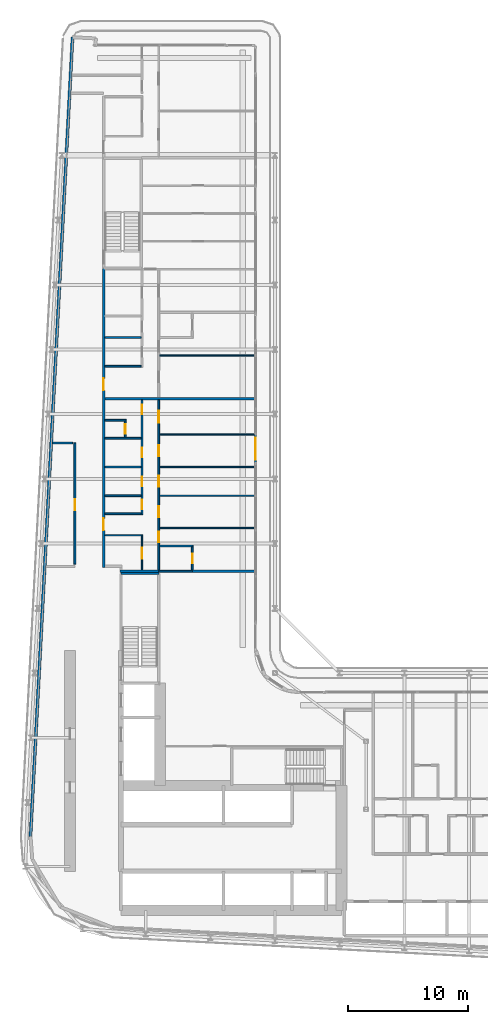
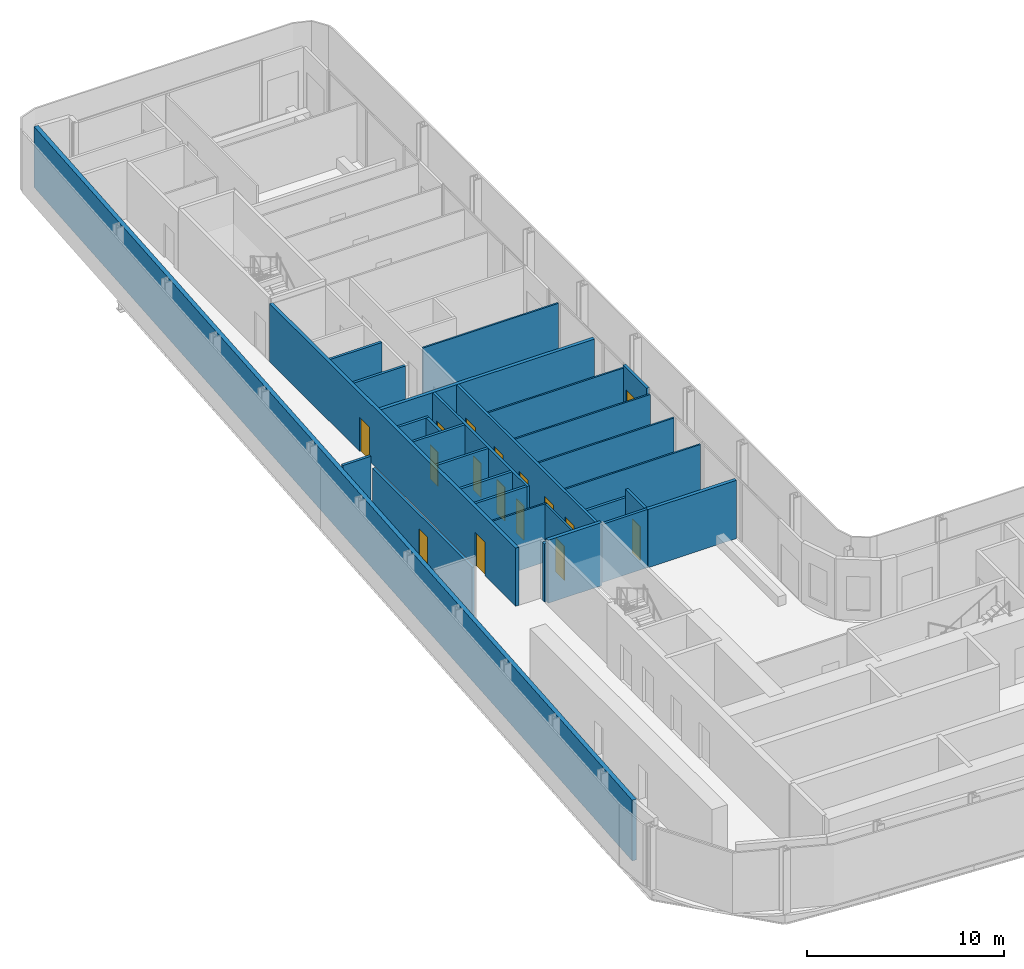
# One storey, part 18 of 29: 29 walls, 16 doors, 16 openings.
"""IFC4 building model written with IfcOpenShell, lengths in metres."""

from ifc_helpers import new_model, si_unit, direction, frame, frame_2d, origin, place, context, subcontext, project, spatial, rectangle, extrude, source, transform, mapped, material, layer, layer_set, type_object, element, fill, save


model = new_model("IFC4")

# Units and contexts
model_context = context("Model", 3, precision=1e-05, world=origin(), true_north=direction((0.0, 1.0)))
body_context = subcontext(model_context, "Body", "Model", "MODEL_VIEW")
ifc_project = project(units=[si_unit("LENGTHUNIT", "METRE"), si_unit("AREAUNIT", "SQUARE_METRE"), si_unit("VOLUMEUNIT", "CUBIC_METRE"), si_unit("PLANEANGLEUNIT", "RADIAN"), si_unit("MASSUNIT", "GRAM", prefix="KILO")], contexts=[model_context])

# Site, building, storey
site_placement = place(None, origin())
site = spatial("IfcSite", under=ifc_project, at=site_placement, CompositionType="ELEMENT")
building_placement = place(site_placement, origin())
building = spatial("IfcBuilding", under=site, at=building_placement, Name="Kheshtan School and Residences Tower", CompositionType="ELEMENT")
storey_placement = place(building_placement, frame((0.0, 0.0, 117.5)))
storey = spatial("IfcBuildingStorey", under=building, at=storey_placement, Name="L27", CompositionType="ELEMENT", Elevation=117.5)

# Wall, openings, doors
ifc_material_1 = material(Name="Gypsum board on steel studs with fire boards", Category="steel")
ifc_layer_1 = layer(ifc_material_1, 0.199951171875)
ifc_layer_set_1 = layer_set([ifc_layer_1], Name="Corridor wall 200")
wall_type_1 = type_object("IfcWallType", Name="Corridor wall 200", PredefinedType="PARTITIONING", material=ifc_layer_set_1)
wall_1_placement = place(storey_placement, frame((33.300048828125, 54.39990234375, 0.0), z_axis=(0.0, 0.0, 1.0), x_axis=(0.0, 1.0, 0.0)))
wall_1 = element("IfcWall", 1, at=wall_1_placement, inside=storey, type_object=wall_type_1, Name="Partition L27-003", PredefinedType="PARTITIONING", context=body_context, shape_type="SweptSolid", body=[
    extrude(rectangle(XDim=24.9501953125, YDim=0.199951171875, at=frame_2d((12.47509765625, 0.0))), origin(), (0.0, 0.0, 1.0), 3.60009765625),
])
opening_1_placement = place(wall_1_placement, frame((3.10009765625, 0.0, 0.0)))
opening_1 = element("IfcOpeningElement", 2, at=opening_1_placement, cuts=wall_1, Name="Opening D27-040", PredefinedType="OPENING", context=body_context, shape_type="SweptSolid", body=[
    extrude(rectangle(XDim=1.0, YDim=2.10009765625, at=frame_2d((0.5, 1.050048828125))), frame((0.0, 0.10986328125, 0.0), z_axis=(0.0, -1.0, 0.0), x_axis=(1.0, 0.0, 0.0)), (0.0, 0.0, 1.0), 0.219970703125),
])
opening_2_placement = place(wall_1_placement, frame((14.800048828125, 0.0, 0.0)))
opening_2 = element("IfcOpeningElement", 3, at=opening_2_placement, cuts=wall_1, Name="Opening D27-051", PredefinedType="OPENING", context=body_context, shape_type="SweptSolid", body=[
    extrude(rectangle(XDim=1.0, YDim=2.10009765625, at=frame_2d((0.5, 1.050048828125))), frame((0.0, 0.10986328125, 0.0), z_axis=(0.0, -1.0, 0.0), x_axis=(1.0, 0.0, 0.0)), (0.0, 0.0, 1.0), 0.219970703125),
])
ifc_material_2 = material(Name="Steel-framed fire-resisting door leaf", Category="steel")
door_type_1 = type_object("IfcDoorType", Name="Fire door FD30S 1000 x 2100", OperationType="SINGLE_SWING_LEFT", PredefinedType="DOOR", material=ifc_material_2)
shared_shape_1 = source(origin(), body_context, "Body", "SweptSolid", [
    extrude(rectangle(XDim=1.0, YDim=2.10009765625, at=frame_2d((0.5, 1.050048828125))), frame((0.0, 0.02490234375, 0.0), z_axis=(0.0, -1.0, 0.0), x_axis=(1.0, 0.0, 0.0)), (0.0, 0.0, 1.0), 0.050048828125),
])
door_1_placement = place(opening_1_placement, origin())
door_1 = element("IfcDoor", 4, at=door_1_placement, inside=storey, type_object=door_type_1, Name="Door D27-040", OperationType="SINGLE_SWING_RIGHT", OverallHeight=2.10009765625, OverallWidth=1.0, PredefinedType="DOOR", context=body_context, shape_type="MappedRepresentation", body=[
    mapped(shared_shape_1, transform((0.0, 0.0, 0.0), x_axis=(1.0, 0.0, 0.0), y_axis=(0.0, 1.0, 0.0), z_axis=(0.0, 0.0, 1.0), scale=1.0)),
])
fill(opening_1, door_1)
door_2_placement = place(opening_2_placement, origin())
door_2 = element("IfcDoor", 5, at=door_2_placement, inside=storey, type_object=door_type_1, Name="Door D27-051", OperationType="SINGLE_SWING_RIGHT", OverallHeight=2.10009765625, OverallWidth=1.0, PredefinedType="DOOR", context=body_context, shape_type="MappedRepresentation", body=[
    mapped(shared_shape_1, transform((0.0, 0.0, 0.0), x_axis=(1.0, 0.0, 0.0), y_axis=(0.0, 1.0, 0.0), z_axis=(0.0, 0.0, 1.0), scale=1.0)),
])
fill(opening_2, door_2)

# Wall
ifc_material_3 = material(Name="Concrete C40/50 with ceramic cladding and mineral wool insulation", Category="concrete")
ifc_layer_2 = layer(ifc_material_3, 0.25)
ifc_layer_set_2 = layer_set([ifc_layer_2], Name="External wall 250 ceramic clad")
wall_type_2 = type_object("IfcWallType", Name="External wall 250 ceramic clad", PredefinedType="SOLIDWALL", material=ifc_layer_set_2)
wall_2_placement = place(storey_placement, frame((27.195068359375, 31.968994140625, 0.0), z_axis=(0.0, 0.0, 1.0), x_axis=(0.052554995867, 0.998618031286, 0.0)))
element("IfcWall", 6, at=wall_2_placement, inside=storey, type_object=wall_type_2, Name="External wall L27 4", PredefinedType="SOLIDWALL", context=body_context, shape_type="SweptSolid", body=[
    extrude(rectangle(XDim=66.787353515625, YDim=0.25, at=frame_2d((33.3935546875, 0.0))), origin(), (0.0, 0.0, 1.0), 3.75),
])

# Wall, opening, door
ifc_material_4 = material(Name="Aluminium frame wall with insulated infill", Category="aluminium")
ifc_layer_3 = layer(ifc_material_4, 0.14990234375)
ifc_layer_set_3 = layer_set([ifc_layer_3], Name="Glazing frame wall 150")
wall_type_3 = type_object("IfcWallType", Name="Glazing frame wall 150", PredefinedType="SOLIDWALL", material=ifc_layer_set_3)
wall_3_placement = place(storey_placement, frame((45.97509765625, 65.51806640625, 0.0), z_axis=(0.0, 0.0, 1.0), x_axis=(0.0, -1.0, 0.0)))
wall_3 = element("IfcWall", 7, at=wall_3_placement, inside=storey, type_object=wall_type_3, Name="Balcony door wall L27 8.4", PredefinedType="SOLIDWALL", context=body_context, shape_type="SweptSolid", body=[
    extrude(rectangle(XDim=2.400146484375, YDim=0.14990234375, at=frame_2d((1.2001953125, 0.0))), origin(), (0.0, 0.0, 1.0), 3.75),
])
opening_3_placement = place(wall_3_placement, frame((0.300048828125, 0.0, 0.0)))
opening_3 = element("IfcOpeningElement", 8, at=opening_3_placement, cuts=wall_3, Name="Opening BD", PredefinedType="OPENING", context=body_context, shape_type="SweptSolid", body=[
    extrude(rectangle(XDim=1.800048828125, YDim=2.39990234375, at=frame_2d((0.89990234375, 1.199951171875))), frame((0.0, 0.0849609375, 0.0), z_axis=(0.0, -1.0, 0.0), x_axis=(1.0, 0.0, 0.0)), (0.0, 0.0, 1.0), 0.169921875),
])
ifc_material_5 = material(Name="Clear low-e glass in thermally broken aluminium frame", Category="aluminium")
door_type_2 = type_object("IfcDoorType", Name="Balcony sliding door", OperationType="SLIDING_TO_LEFT", PredefinedType="DOOR", material=ifc_material_5)
shared_shape_2 = source(origin(), body_context, "Body", "SweptSolid", [
    extrude(rectangle(XDim=1.800048828125, YDim=2.39990234375, at=frame_2d((0.89990234375, 1.199951171875))), frame((0.0, 0.02490234375, 0.0), z_axis=(0.0, -1.0, 0.0), x_axis=(1.0, 0.0, 0.0)), (0.0, 0.0, 1.0), 0.050048828125),
])
door_3_placement = place(opening_3_placement, origin())
door_3 = element("IfcDoor", 9, at=door_3_placement, inside=storey, type_object=door_type_2, Name="Balcony door L27 8.4", OperationType="SLIDING_TO_LEFT", OverallHeight=2.39990234375, OverallWidth=1.800048828125, PredefinedType="DOOR", context=body_context, shape_type="MappedRepresentation", body=[
    mapped(shared_shape_2, transform((0.0, 0.0, 0.0), x_axis=(1.0, 0.0, 0.0), y_axis=(0.0, 1.0, 0.0), z_axis=(0.0, 0.0, 1.0), scale=1.0)),
])
fill(opening_3, door_3)

# Wall
ifc_material_6 = material(Name="Gypsum board on steel studs", Category="steel")
ifc_layer_4 = layer(ifc_material_6, 0.10009765625)
ifc_layer_set_4 = layer_set([ifc_layer_4], Name="Gypsum partition 100")
wall_type_4 = type_object("IfcWallType", Name="Gypsum partition 100", PredefinedType="PARTITIONING", material=ifc_layer_set_4)
wall_4_placement = place(storey_placement, frame((33.39990234375, 57.10009765625, 0.0), z_axis=(0.0, 0.0, 1.0), x_axis=(1.0, 0.0, 0.0)))
element("IfcWall", 10, at=wall_4_placement, inside=storey, type_object=wall_type_4, Name="Partition L27-006", PredefinedType="PARTITIONING", context=body_context, shape_type="SweptSolid", body=[
    extrude(rectangle(XDim=3.150146484375, YDim=0.10009765625, at=frame_2d((1.5751953125, 0.0))), origin(), (0.0, 0.0, 1.0), 3.60009765625),
])

# Wall, opening, door
wall_5_placement = place(storey_placement, frame((36.5, 54.199951171875, 0.0), z_axis=(0.0, 0.0, 1.0), x_axis=(0.0, 1.0, 0.0)))
wall_5 = element("IfcWall", 11, at=wall_5_placement, inside=storey, type_object=wall_type_4, Name="Partition L27-022", PredefinedType="PARTITIONING", context=body_context, shape_type="SweptSolid", body=[
    extrude(rectangle(XDim=2.85009765625, YDim=0.10009765625, at=frame_2d((1.425048828125, 0.0))), origin(), (0.0, 0.0, 1.0), 3.60009765625),
])
opening_4_placement = place(wall_5_placement, frame((0.949951171875, 0.0, 0.0)))
opening_4 = element("IfcOpeningElement", 12, at=opening_4_placement, cuts=wall_5, Name="Opening D27-041", PredefinedType="OPENING", context=body_context, shape_type="SweptSolid", body=[
    extrude(rectangle(XDim=0.89990234375, YDim=2.10009765625, at=frame_2d((0.449951171875, 1.050048828125))), frame((0.0, 0.06005859375, 0.0), z_axis=(0.0, -1.0, 0.0), x_axis=(1.0, 0.0, 0.0)), (0.0, 0.0, 1.0), 0.1201171875),
])
ifc_material_7 = material(Name="Veneered timber door leaf", Category="wood")
door_type_3 = type_object("IfcDoorType", Name="Door 900 x 2100", OperationType="SINGLE_SWING_LEFT", PredefinedType="DOOR", material=ifc_material_7)
shared_shape_3 = source(origin(), body_context, "Body", "SweptSolid", [
    extrude(rectangle(XDim=0.89990234375, YDim=2.10009765625, at=frame_2d((0.449951171875, 1.050048828125))), frame((0.0, 0.02490234375, 0.0), z_axis=(0.0, -1.0, 0.0), x_axis=(1.0, 0.0, 0.0)), (0.0, 0.0, 1.0), 0.050048828125),
])
door_4_placement = place(opening_4_placement, origin())
door_4 = element("IfcDoor", 13, at=door_4_placement, inside=storey, type_object=door_type_3, Name="Door D27-041", OperationType="SINGLE_SWING_RIGHT", OverallHeight=2.10009765625, OverallWidth=0.89990234375, PredefinedType="DOOR", context=body_context, shape_type="MappedRepresentation", body=[
    mapped(shared_shape_3, transform((0.0, 0.0, 0.0), x_axis=(1.0, 0.0, 0.0), y_axis=(0.0, 1.0, 0.0), z_axis=(0.0, 0.0, 1.0), scale=1.0)),
])
fill(opening_4, door_4)

# Walls
for number, where, z_axis, x_axis, name in (
    (14, (37.97509765625, 57.699951171875, 0.0), (0.0, 0.0, 1.0), (1.0, 0.0, 0.0), "Partition L27-037"),
    (15, (37.97509765625, 60.39990234375, 0.0), (0.0, 0.0, 1.0), (1.0, 0.0, 0.0), "Partition L27-038"),
    (16, (37.97509765625, 62.800048828125, 0.0), (0.0, 0.0, 1.0), (1.0, 0.0, 0.0), "Partition L27-039"),
    (17, (37.97509765625, 65.5, 0.0), (0.0, 0.0, 1.0), (1.0, 0.0, 0.0), "Partition L27-040"),
    (18, (37.97509765625, 72.10009765625, 0.0), (0.0, 0.0, 1.0), (1.0, 0.0, 0.0), "Partition L27-041"),
):
    element("IfcWall", number, at=place(storey_placement, frame(where, z_axis=z_axis, x_axis=x_axis)), inside=storey, type_object=wall_type_4, Name=name, PredefinedType="PARTITIONING", context=body_context, shape_type="SweptSolid", body=[
        extrude(rectangle(XDim=7.9248046875, YDim=0.10009765625, at=frame_2d((3.96240234375, 0.0))), origin(), (0.0, 0.0, 1.0), 3.60009765625),
    ])

# Wall, opening, door
ifc_material_8 = material(Name="Fire-board shaft wall system")
ifc_layer_5 = layer(ifc_material_8, 0.14990234375)
ifc_layer_set_5 = layer_set([ifc_layer_5], Name="Service room wall 150")
wall_type_5 = type_object("IfcWallType", Name="Service room wall 150", PredefinedType="PARTITIONING", material=ifc_layer_set_5)
wall_6_placement = place(storey_placement, frame((30.89990234375, 54.695068359375, 0.0), z_axis=(0.0, 0.0, 1.0), x_axis=(0.0, 1.0, 0.0)))
wall_6 = element("IfcWall", 19, at=wall_6_placement, inside=storey, type_object=wall_type_5, Name="Service room wall", PredefinedType="PARTITIONING", context=body_context, shape_type="SweptSolid", body=[
    extrude(rectangle(XDim=10.10498046875, YDim=0.14990234375, at=frame_2d((5.052490234375, 0.0))), origin(), (0.0, 0.0, 1.0), 3.072021484375),
])
opening_5_placement = place(wall_6_placement, frame((4.5048828125, 0.0, 0.0)))
opening_5 = element("IfcOpeningElement", 20, at=opening_5_placement, cuts=wall_6, Name="Opening SR90", PredefinedType="OPENING", context=body_context, shape_type="SweptSolid", body=[
    extrude(rectangle(XDim=0.89990234375, YDim=2.199951171875, at=frame_2d((0.449951171875, 1.10009765625))), frame((0.0, 0.0849609375, 0.0), z_axis=(0.0, -1.0, 0.0), x_axis=(1.0, 0.0, 0.0)), (0.0, 0.0, 1.0), 0.169921875),
])
ifc_material_9 = material(Name="Steel door leaf, galvanised", Category="steel")
door_type_4 = type_object("IfcDoorType", Name="Service room door 900 steel 90 min", OperationType="SINGLE_SWING_LEFT", PredefinedType="DOOR", material=ifc_material_9)
shared_shape_4 = source(origin(), body_context, "Body", "SweptSolid", [
    extrude(rectangle(XDim=0.89990234375, YDim=2.199951171875, at=frame_2d((0.449951171875, 1.10009765625))), frame((0.0, 0.02490234375, 0.0), z_axis=(0.0, -1.0, 0.0), x_axis=(1.0, 0.0, 0.0)), (0.0, 0.0, 1.0), 0.050048828125),
])
door_5_placement = place(opening_5_placement, origin())
door_5 = element("IfcDoor", 21, at=door_5_placement, inside=storey, type_object=door_type_4, Name="Service room door", OperationType="SINGLE_SWING_LEFT", OverallHeight=2.199951171875, OverallWidth=0.89990234375, PredefinedType="DOOR", context=body_context, shape_type="MappedRepresentation", body=[
    mapped(shared_shape_4, transform((0.0, 0.0, 0.0), x_axis=(1.0, 0.0, 0.0), y_axis=(0.0, 1.0, 0.0), z_axis=(0.0, 0.0, 1.0), scale=1.0)),
])
fill(opening_5, door_5)

# Walls
wall_7_placement = place(storey_placement, frame((29.050048828125, 64.800048828125, 0.0), z_axis=(0.0, 0.0, 1.0), x_axis=(1.0, 0.0, 0.0)))
element("IfcWall", 22, at=wall_7_placement, inside=storey, type_object=wall_type_5, Name="Service room wall", PredefinedType="PARTITIONING", context=body_context, shape_type="SweptSolid", body=[
    extrude(rectangle(XDim=1.655029296875, YDim=0.14990234375, at=frame_2d((0.82763671875, 0.0))), origin(), (0.0, 0.0, 1.0), 3.89990234375),
])
ifc_material_10 = material(Name="Concrete C40/50", Category="concrete")
ifc_layer_6 = layer(ifc_material_10, 0.199951171875)
ifc_layer_set_6 = layer_set([ifc_layer_6], Name="Stair enclosure wall 200 Concrete C40/50")
wall_type_6 = type_object("IfcWallType", Name="Stair enclosure wall 200 Concrete C40/50", PredefinedType="SHEAR", material=ifc_layer_set_6)
wall_8_placement = place(storey_placement, frame((34.75, 53.909912109375, 0.0), z_axis=(0.0, 0.0, 1.0), x_axis=(1.0, 0.0, 0.0)))
element("IfcWall", 23, at=wall_8_placement, inside=storey, type_object=wall_type_6, Name="Stair enclosure wall ST2", PredefinedType="SHEAR", context=body_context, shape_type="SweptSolid", body=[
    extrude(rectangle(XDim=3.14990234375, YDim=0.199951171875, at=frame_2d((1.574951171875, 0.0))), origin(), (0.0, 0.0, 1.0), 3.89990234375),
])
ifc_material_11 = material(Name="Twin gypsum board on steel studs with mineral wool", Category="steel")
ifc_layer_7 = layer(ifc_material_11, 0.199951171875)
ifc_layer_set_7 = layer_set([ifc_layer_7], Name="Unit demising wall 200")
wall_type_7 = type_object("IfcWallType", Name="Unit demising wall 200", PredefinedType="PARTITIONING", material=ifc_layer_set_7)
wall_9_placement = place(storey_placement, frame((33.39990234375, 68.5, 0.0), z_axis=(0.0, 0.0, 1.0), x_axis=(1.0, 0.0, 0.0)))
element("IfcWall", 24, at=wall_9_placement, inside=storey, type_object=wall_type_7, Name="Partition L27-012", PredefinedType="PARTITIONING", context=body_context, shape_type="SweptSolid", body=[
    extrude(rectangle(XDim=12.5, YDim=0.199951171875, at=frame_2d((6.25, 0.0))), origin(), (0.0, 0.0, 1.0), 3.60009765625),
])
wall_10_placement = place(storey_placement, frame((34.64990234375, 54.10009765625, 0.0), z_axis=(0.0, 0.0, 1.0), x_axis=(1.0, 0.0, 0.0)))
element("IfcWall", 25, at=wall_10_placement, inside=storey, type_object=wall_type_7, Name="Partition L27-019", PredefinedType="PARTITIONING", context=body_context, shape_type="SweptSolid", body=[
    extrude(rectangle(XDim=3.25, YDim=0.199951171875, at=frame_2d((1.625, 0.0))), origin(), (0.0, 0.0, 1.0), 3.60009765625),
])
wall_11_placement = place(storey_placement, frame((40.699951171875, 54.10009765625, 0.0), z_axis=(0.0, 0.0, 1.0), x_axis=(1.0, 0.0, 0.0)))
element("IfcWall", 26, at=wall_11_placement, inside=storey, type_object=wall_type_7, Name="Partition L27-045", PredefinedType="PARTITIONING", context=body_context, shape_type="SweptSolid", body=[
    extrude(rectangle(XDim=5.199951171875, YDim=0.199951171875, at=frame_2d((2.60009765625, 0.0))), origin(), (0.0, 0.0, 1.0), 3.60009765625),
])
ifc_material_12 = material(Name="Moisture-resistant gypsum board on steel studs", Category="steel")
ifc_layer_8 = layer(ifc_material_12, 0.14990234375)
ifc_layer_set_8 = layer_set([ifc_layer_8], Name="Wet-room partition 150")
wall_type_8 = type_object("IfcWallType", Name="Wet-room partition 150", PredefinedType="PARTITIONING", material=ifc_layer_set_8)
for number, where, z_axis, x_axis, name in (
    (27, (33.39990234375, 58.89990234375, 0.0), (0.0, 0.0, 1.0), (1.0, 0.0, 0.0), "Partition L27-007"),
    (28, (33.39990234375, 60.39990234375, 0.0), (0.0, 0.0, 1.0), (1.0, 0.0, 0.0), "Partition L27-008"),
    (29, (33.39990234375, 62.800048828125, 0.0), (0.0, 0.0, 1.0), (1.0, 0.0, 0.0), "Partition L27-009"),
    (30, (33.39990234375, 65.199951171875, 0.0), (0.0, 0.0, 1.0), (1.0, 0.0, 0.0), "Partition L27-010"),
):
    element("IfcWall", number, at=place(storey_placement, frame(where, z_axis=z_axis, x_axis=x_axis)), inside=storey, type_object=wall_type_8, Name=name, PredefinedType="PARTITIONING", context=body_context, shape_type="SweptSolid", body=[
        extrude(rectangle(XDim=3.025146484375, YDim=0.14990234375, at=frame_2d((1.5126953125, 0.0))), origin(), (0.0, 0.0, 1.0), 3.60009765625),
    ])
wall_12_placement = place(storey_placement, frame((33.39990234375, 66.699951171875, 0.0), z_axis=(0.0, 0.0, 1.0), x_axis=(1.0, 0.0, 0.0)))
element("IfcWall", 31, at=wall_12_placement, inside=storey, type_object=wall_type_8, Name="Partition L27-011", PredefinedType="PARTITIONING", context=body_context, shape_type="SweptSolid", body=[
    extrude(rectangle(XDim=1.775146484375, YDim=0.14990234375, at=frame_2d((0.8876953125, 0.0))), origin(), (0.0, 0.0, 1.0), 3.60009765625),
])
for number, where, z_axis, x_axis, name in (
    (32, (33.39990234375, 71.199951171875, 0.0), (0.0, 0.0, 1.0), (1.0, 0.0, 0.0), "Partition L27-013"),
    (33, (33.39990234375, 73.60009765625, 0.0), (0.0, 0.0, 1.0), (1.0, 0.0, 0.0), "Partition L27-014"),
):
    element("IfcWall", number, at=place(storey_placement, frame(where, z_axis=z_axis, x_axis=x_axis)), inside=storey, type_object=wall_type_8, Name=name, PredefinedType="PARTITIONING", context=body_context, shape_type="SweptSolid", body=[
        extrude(rectangle(XDim=3.025146484375, YDim=0.14990234375, at=frame_2d((1.5126953125, 0.0))), origin(), (0.0, 0.0, 1.0), 3.60009765625),
    ])

# Wall, opening, door
wall_13_placement = place(storey_placement, frame((35.10009765625, 65.27490234375, 0.0), z_axis=(0.0, 0.0, 1.0), x_axis=(0.0, 1.0, 0.0)))
wall_13 = element("IfcWall", 34, at=wall_13_placement, inside=storey, type_object=wall_type_8, Name="Partition L27-021", PredefinedType="PARTITIONING", context=body_context, shape_type="SweptSolid", body=[
    extrude(rectangle(XDim=1.35009765625, YDim=0.14990234375, at=frame_2d((0.675048828125, 0.0))), origin(), (0.0, 0.0, 1.0), 3.60009765625),
])
opening_6_placement = place(wall_13_placement, frame((0.27490234375, 0.0, 0.0)))
opening_6 = element("IfcOpeningElement", 35, at=opening_6_placement, cuts=wall_13, Name="Opening D27-044", PredefinedType="OPENING", context=body_context, shape_type="SweptSolid", body=[
    extrude(rectangle(XDim=0.800048828125, YDim=2.10009765625, at=frame_2d((0.39990234375, 1.050048828125))), frame((0.0, 0.0849609375, 0.0), z_axis=(0.0, -1.0, 0.0), x_axis=(1.0, 0.0, 0.0)), (0.0, 0.0, 1.0), 0.169921875),
])
door_type_5 = type_object("IfcDoorType", Name="Door 800 x 2100", OperationType="SINGLE_SWING_LEFT", PredefinedType="DOOR", material=ifc_material_7)
shared_shape_5 = source(origin(), body_context, "Body", "SweptSolid", [
    extrude(rectangle(XDim=0.800048828125, YDim=2.10009765625, at=frame_2d((0.39990234375, 1.050048828125))), frame((0.0, 0.02490234375, 0.0), z_axis=(0.0, -1.0, 0.0), x_axis=(1.0, 0.0, 0.0)), (0.0, 0.0, 1.0), 0.050048828125),
])
door_6_placement = place(opening_6_placement, origin())
door_6 = element("IfcDoor", 36, at=door_6_placement, inside=storey, type_object=door_type_5, Name="Door D27-044", OperationType="SINGLE_SWING_LEFT", OverallHeight=2.10009765625, OverallWidth=0.800048828125, PredefinedType="DOOR", context=body_context, shape_type="MappedRepresentation", body=[
    mapped(shared_shape_5, transform((0.0, 0.0, 0.0), x_axis=(1.0, 0.0, 0.0), y_axis=(0.0, 1.0, 0.0), z_axis=(0.0, 0.0, 1.0), scale=1.0)),
])
fill(opening_6, door_6)

# Wall, openings, doors
wall_14_placement = place(storey_placement, frame((36.5, 58.824951171875, 0.0), z_axis=(0.0, 0.0, 1.0), x_axis=(0.0, 1.0, 0.0)))
wall_14 = element("IfcWall", 37, at=wall_14_placement, inside=storey, type_object=wall_type_8, Name="Partition L27-023", PredefinedType="PARTITIONING", context=body_context, shape_type="SweptSolid", body=[
    extrude(rectangle(XDim=9.574951171875, YDim=0.14990234375, at=frame_2d((4.78759765625, 0.0))), origin(), (0.0, 0.0, 1.0), 3.60009765625),
])
opening_7_placement = place(wall_14_placement, frame((2.375, 0.0, 0.0)))
opening_7 = element("IfcOpeningElement", 38, at=opening_7_placement, cuts=wall_14, Name="Opening D27-035", PredefinedType="OPENING", context=body_context, shape_type="SweptSolid", body=[
    extrude(rectangle(XDim=0.800048828125, YDim=2.10009765625, at=frame_2d((0.39990234375, 1.050048828125))), frame((0.0, 0.0849609375, 0.0), z_axis=(0.0, -1.0, 0.0), x_axis=(1.0, 0.0, 0.0)), (0.0, 0.0, 1.0), 0.169921875),
])
opening_8_placement = place(wall_14_placement, frame((4.77490234375, 0.0, 0.0)))
opening_8 = element("IfcOpeningElement", 39, at=opening_8_placement, cuts=wall_14, Name="Opening D27-036", PredefinedType="OPENING", context=body_context, shape_type="SweptSolid", body=[
    extrude(rectangle(XDim=0.800048828125, YDim=2.10009765625, at=frame_2d((0.39990234375, 1.050048828125))), frame((0.0, 0.0849609375, 0.0), z_axis=(0.0, -1.0, 0.0), x_axis=(1.0, 0.0, 0.0)), (0.0, 0.0, 1.0), 0.169921875),
])
opening_9_placement = place(wall_14_placement, frame((8.375, 0.0, 0.0)))
opening_9 = element("IfcOpeningElement", 40, at=opening_9_placement, cuts=wall_14, Name="Opening D27-043", PredefinedType="OPENING", context=body_context, shape_type="SweptSolid", body=[
    extrude(rectangle(XDim=0.800048828125, YDim=2.10009765625, at=frame_2d((0.39990234375, 1.050048828125))), frame((0.0, 0.0849609375, 0.0), z_axis=(0.0, -1.0, 0.0), x_axis=(1.0, 0.0, 0.0)), (0.0, 0.0, 1.0), 0.169921875),
])
opening_10_placement = place(wall_14_placement, frame((0.425048828125, 0.0, 0.0)))
opening_10 = element("IfcOpeningElement", 41, at=opening_10_placement, cuts=wall_14, Name="Opening D27-047", PredefinedType="OPENING", context=body_context, shape_type="SweptSolid", body=[
    extrude(rectangle(XDim=0.800048828125, YDim=2.10009765625, at=frame_2d((0.39990234375, 1.050048828125))), frame((0.0, 0.0849609375, 0.0), z_axis=(0.0, -1.0, 0.0), x_axis=(1.0, 0.0, 0.0)), (0.0, 0.0, 1.0), 0.169921875),
])
door_7_placement = place(opening_7_placement, origin())
door_7 = element("IfcDoor", 42, at=door_7_placement, inside=storey, type_object=door_type_5, Name="Door D27-035", OperationType="SINGLE_SWING_RIGHT", OverallHeight=2.10009765625, OverallWidth=0.800048828125, PredefinedType="DOOR", context=body_context, shape_type="MappedRepresentation", body=[
    mapped(shared_shape_5, transform((0.0, 0.0, 0.0), x_axis=(1.0, 0.0, 0.0), y_axis=(0.0, 1.0, 0.0), z_axis=(0.0, 0.0, 1.0), scale=1.0)),
])
fill(opening_7, door_7)
door_8_placement = place(opening_8_placement, origin())
door_8 = element("IfcDoor", 43, at=door_8_placement, inside=storey, type_object=door_type_5, Name="Door D27-036", OperationType="SINGLE_SWING_RIGHT", OverallHeight=2.10009765625, OverallWidth=0.800048828125, PredefinedType="DOOR", context=body_context, shape_type="MappedRepresentation", body=[
    mapped(shared_shape_5, transform((0.0, 0.0, 0.0), x_axis=(1.0, 0.0, 0.0), y_axis=(0.0, 1.0, 0.0), z_axis=(0.0, 0.0, 1.0), scale=1.0)),
])
fill(opening_8, door_8)
door_9_placement = place(opening_9_placement, origin())
door_9 = element("IfcDoor", 44, at=door_9_placement, inside=storey, type_object=door_type_5, Name="Door D27-043", OperationType="SINGLE_SWING_RIGHT", OverallHeight=2.10009765625, OverallWidth=0.800048828125, PredefinedType="DOOR", context=body_context, shape_type="MappedRepresentation", body=[
    mapped(shared_shape_5, transform((0.0, 0.0, 0.0), x_axis=(1.0, 0.0, 0.0), y_axis=(0.0, 1.0, 0.0), z_axis=(0.0, 0.0, 1.0), scale=1.0)),
])
fill(opening_9, door_9)
door_10_placement = place(opening_10_placement, origin())
door_10 = element("IfcDoor", 45, at=door_10_placement, inside=storey, type_object=door_type_5, Name="Door D27-047", OperationType="SINGLE_SWING_RIGHT", OverallHeight=2.10009765625, OverallWidth=0.800048828125, PredefinedType="DOOR", context=body_context, shape_type="MappedRepresentation", body=[
    mapped(shared_shape_5, transform((0.0, 0.0, 0.0), x_axis=(1.0, 0.0, 0.0), y_axis=(0.0, 1.0, 0.0), z_axis=(0.0, 0.0, 1.0), scale=1.0)),
])
fill(opening_10, door_10)

# Wall
wall_15_placement = place(storey_placement, frame((37.89990234375, 54.10009765625, 0.0), z_axis=(0.0, 0.0, 1.0), x_axis=(1.0, 0.0, 0.0)))
element("IfcWall", 46, at=wall_15_placement, inside=storey, type_object=wall_type_8, Name="Partition L27-031", PredefinedType="PARTITIONING", context=body_context, shape_type="SweptSolid", body=[
    extrude(rectangle(XDim=2.800048828125, YDim=0.14990234375, at=frame_2d((1.39990234375, 0.0))), origin(), (0.0, 0.0, 1.0), 3.60009765625),
])

# Wall, openings, doors
wall_16_placement = place(storey_placement, frame((37.89990234375, 54.199951171875, 0.0), z_axis=(0.0, 0.0, 1.0), x_axis=(0.0, 1.0, 0.0)))
wall_16 = element("IfcWall", 47, at=wall_16_placement, inside=storey, type_object=wall_type_8, Name="Partition L27-032", PredefinedType="PARTITIONING", context=body_context, shape_type="SweptSolid", body=[
    extrude(rectangle(XDim=14.199951171875, YDim=0.14990234375, at=frame_2d((7.10009765625, 0.0))), origin(), (0.0, 0.0, 1.0), 3.60009765625),
])
opening_11_placement = place(wall_16_placement, frame((4.39990234375, 0.0, 0.0)))
opening_11 = element("IfcOpeningElement", 48, at=opening_11_placement, cuts=wall_16, Name="Opening D27-037", PredefinedType="OPENING", context=body_context, shape_type="SweptSolid", body=[
    extrude(rectangle(XDim=0.89990234375, YDim=2.10009765625, at=frame_2d((0.449951171875, 1.050048828125))), frame((0.0, 0.0849609375, 0.0), z_axis=(0.0, -1.0, 0.0), x_axis=(1.0, 0.0, 0.0)), (0.0, 0.0, 1.0), 0.169921875),
])
opening_12_placement = place(wall_16_placement, frame((9.5, 0.0, 0.0)))
opening_12 = element("IfcOpeningElement", 49, at=opening_12_placement, cuts=wall_16, Name="Opening D27-038", PredefinedType="OPENING", context=body_context, shape_type="SweptSolid", body=[
    extrude(rectangle(XDim=0.89990234375, YDim=2.10009765625, at=frame_2d((0.449951171875, 1.050048828125))), frame((0.0, 0.0849609375, 0.0), z_axis=(0.0, -1.0, 0.0), x_axis=(1.0, 0.0, 0.0)), (0.0, 0.0, 1.0), 0.169921875),
])
opening_13_placement = place(wall_16_placement, frame((12.300048828125, 0.0, 0.0)))
opening_13 = element("IfcOpeningElement", 50, at=opening_13_placement, cuts=wall_16, Name="Opening D27-042", PredefinedType="OPENING", context=body_context, shape_type="SweptSolid", body=[
    extrude(rectangle(XDim=1.0, YDim=2.10009765625, at=frame_2d((0.5, 1.050048828125))), frame((0.0, 0.0849609375, 0.0), z_axis=(0.0, -1.0, 0.0), x_axis=(1.0, 0.0, 0.0)), (0.0, 0.0, 1.0), 0.169921875),
])
opening_14_placement = place(wall_16_placement, frame((6.949951171875, 0.0, 0.0)))
opening_14 = element("IfcOpeningElement", 51, at=opening_14_placement, cuts=wall_16, Name="Opening D27-045", PredefinedType="OPENING", context=body_context, shape_type="SweptSolid", body=[
    extrude(rectangle(XDim=0.89990234375, YDim=2.10009765625, at=frame_2d((0.449951171875, 1.050048828125))), frame((0.0, 0.0849609375, 0.0), z_axis=(0.0, -1.0, 0.0), x_axis=(1.0, 0.0, 0.0)), (0.0, 0.0, 1.0), 0.169921875),
])
opening_15_placement = place(wall_16_placement, frame((2.300048828125, 0.0, 0.0)))
opening_15 = element("IfcOpeningElement", 52, at=opening_15_placement, cuts=wall_16, Name="Opening D27-046", PredefinedType="OPENING", context=body_context, shape_type="SweptSolid", body=[
    extrude(rectangle(XDim=0.89990234375, YDim=2.10009765625, at=frame_2d((0.449951171875, 1.050048828125))), frame((0.0, 0.0849609375, 0.0), z_axis=(0.0, -1.0, 0.0), x_axis=(1.0, 0.0, 0.0)), (0.0, 0.0, 1.0), 0.169921875),
])
door_type_6 = type_object("IfcDoorType", Name="Door 1000 x 2100", OperationType="SINGLE_SWING_LEFT", PredefinedType="DOOR", material=ifc_material_7)
shared_shape_6 = source(origin(), body_context, "Body", "SweptSolid", [
    extrude(rectangle(XDim=1.0, YDim=2.10009765625, at=frame_2d((0.5, 1.050048828125))), frame((0.0, 0.02490234375, 0.0), z_axis=(0.0, -1.0, 0.0), x_axis=(1.0, 0.0, 0.0)), (0.0, 0.0, 1.0), 0.050048828125),
])
door_11_placement = place(opening_13_placement, origin())
door_11 = element("IfcDoor", 53, at=door_11_placement, inside=storey, type_object=door_type_6, Name="Door D27-042", OperationType="SINGLE_SWING_RIGHT", OverallHeight=2.10009765625, OverallWidth=1.0, PredefinedType="DOOR", context=body_context, shape_type="MappedRepresentation", body=[
    mapped(shared_shape_6, transform((0.0, 0.0, 0.0), x_axis=(1.0, 0.0, 0.0), y_axis=(0.0, 1.0, 0.0), z_axis=(0.0, 0.0, 1.0), scale=1.0)),
])
fill(opening_13, door_11)
door_12_placement = place(opening_11_placement, origin())
door_12 = element("IfcDoor", 54, at=door_12_placement, inside=storey, type_object=door_type_3, Name="Door D27-037", OperationType="SINGLE_SWING_LEFT", OverallHeight=2.10009765625, OverallWidth=0.89990234375, PredefinedType="DOOR", context=body_context, shape_type="MappedRepresentation", body=[
    mapped(shared_shape_3, transform((0.0, 0.0, 0.0), x_axis=(1.0, 0.0, 0.0), y_axis=(0.0, 1.0, 0.0), z_axis=(0.0, 0.0, 1.0), scale=1.0)),
])
fill(opening_11, door_12)
door_13_placement = place(opening_12_placement, origin())
door_13 = element("IfcDoor", 55, at=door_13_placement, inside=storey, type_object=door_type_3, Name="Door D27-038", OperationType="SINGLE_SWING_RIGHT", OverallHeight=2.10009765625, OverallWidth=0.89990234375, PredefinedType="DOOR", context=body_context, shape_type="MappedRepresentation", body=[
    mapped(shared_shape_3, transform((0.0, 0.0, 0.0), x_axis=(1.0, 0.0, 0.0), y_axis=(0.0, 1.0, 0.0), z_axis=(0.0, 0.0, 1.0), scale=1.0)),
])
fill(opening_12, door_13)
door_14_placement = place(opening_14_placement, origin())
door_14 = element("IfcDoor", 56, at=door_14_placement, inside=storey, type_object=door_type_3, Name="Door D27-045", OperationType="SINGLE_SWING_LEFT", OverallHeight=2.10009765625, OverallWidth=0.89990234375, PredefinedType="DOOR", context=body_context, shape_type="MappedRepresentation", body=[
    mapped(shared_shape_3, transform((0.0, 0.0, 0.0), x_axis=(1.0, 0.0, 0.0), y_axis=(0.0, 1.0, 0.0), z_axis=(0.0, 0.0, 1.0), scale=1.0)),
])
fill(opening_14, door_14)
door_15_placement = place(opening_15_placement, origin())
door_15 = element("IfcDoor", 57, at=door_15_placement, inside=storey, type_object=door_type_3, Name="Door D27-046", OperationType="SINGLE_SWING_RIGHT", OverallHeight=2.10009765625, OverallWidth=0.89990234375, PredefinedType="DOOR", context=body_context, shape_type="MappedRepresentation", body=[
    mapped(shared_shape_3, transform((0.0, 0.0, 0.0), x_axis=(1.0, 0.0, 0.0), y_axis=(0.0, 1.0, 0.0), z_axis=(0.0, 0.0, 1.0), scale=1.0)),
])
fill(opening_15, door_15)

# Wall
wall_17_placement = place(storey_placement, frame((37.97509765625, 56.199951171875, 0.0), z_axis=(0.0, 0.0, 1.0), x_axis=(1.0, 0.0, 0.0)))
element("IfcWall", 58, at=wall_17_placement, inside=storey, type_object=wall_type_8, Name="Partition L27-036", PredefinedType="PARTITIONING", context=body_context, shape_type="SweptSolid", body=[
    extrude(rectangle(XDim=2.7998046875, YDim=0.14990234375, at=frame_2d((1.39990234375, 0.0))), origin(), (0.0, 0.0, 1.0), 3.072021484375),
])

# Wall, opening, door
wall_18_placement = place(storey_placement, frame((40.699951171875, 54.199951171875, 0.0), z_axis=(0.0, 0.0, 1.0), x_axis=(0.0, 1.0, 0.0)))
wall_18 = element("IfcWall", 59, at=wall_18_placement, inside=storey, type_object=wall_type_8, Name="Partition L27-046", PredefinedType="PARTITIONING", context=body_context, shape_type="SweptSolid", body=[
    extrude(rectangle(XDim=1.925048828125, YDim=0.14990234375, at=frame_2d((0.96240234375, 0.0))), origin(), (0.0, 0.0, 1.0), 3.60009765625),
])
opening_16_placement = place(wall_18_placement, frame((0.550048828125, 0.0, 0.0)))
opening_16 = element("IfcOpeningElement", 60, at=opening_16_placement, cuts=wall_18, Name="Opening D27-039", PredefinedType="OPENING", context=body_context, shape_type="SweptSolid", body=[
    extrude(rectangle(XDim=0.800048828125, YDim=2.10009765625, at=frame_2d((0.39990234375, 1.050048828125))), frame((0.0, 0.0849609375, 0.0), z_axis=(0.0, -1.0, 0.0), x_axis=(1.0, 0.0, 0.0)), (0.0, 0.0, 1.0), 0.169921875),
])
door_16_placement = place(opening_16_placement, origin())
door_16 = element("IfcDoor", 61, at=door_16_placement, inside=storey, type_object=door_type_5, Name="Door D27-039", OperationType="SINGLE_SWING_RIGHT", OverallHeight=2.10009765625, OverallWidth=0.800048828125, PredefinedType="DOOR", context=body_context, shape_type="MappedRepresentation", body=[
    mapped(shared_shape_5, transform((0.0, 0.0, 0.0), x_axis=(1.0, 0.0, 0.0), y_axis=(0.0, 1.0, 0.0), z_axis=(0.0, 0.0, 1.0), scale=1.0)),
])
fill(opening_16, door_16)

save(model, "model.ifc")
